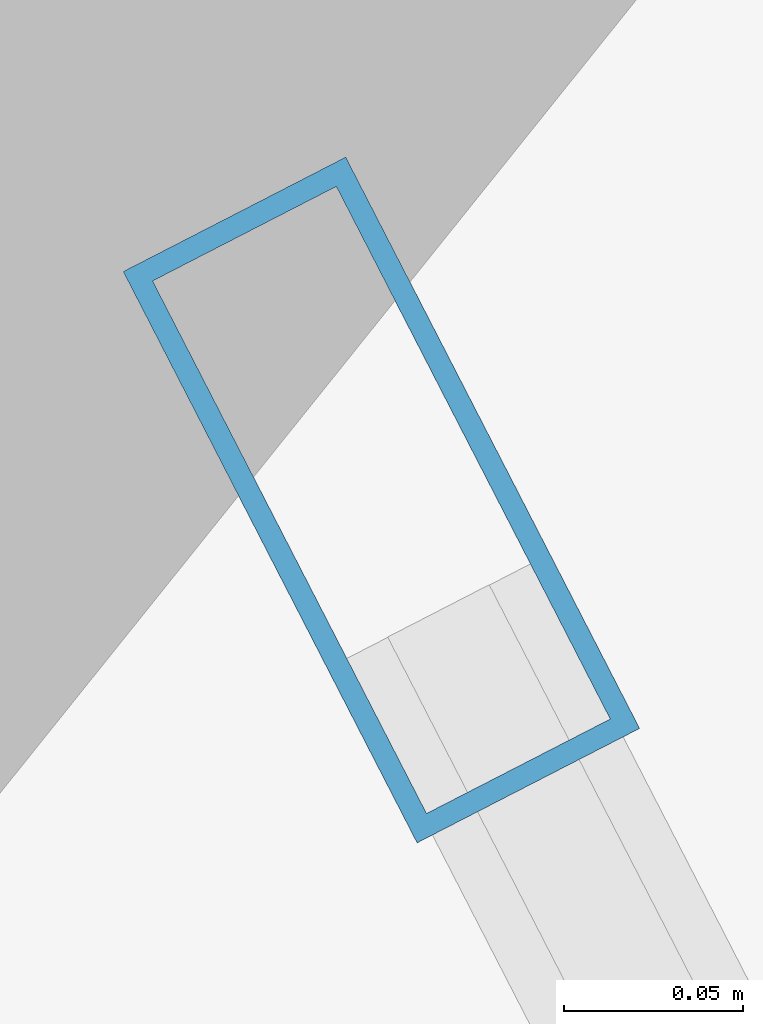
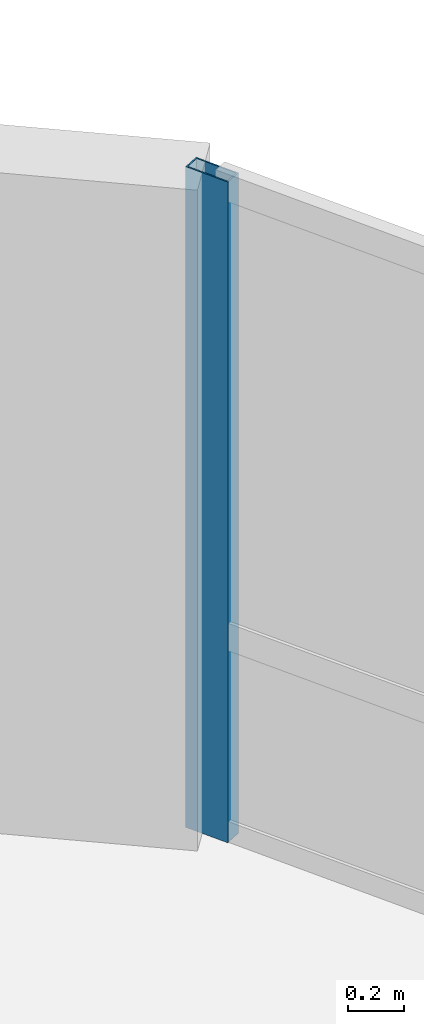
# One storey, part 8 of 15: 1 member, 1 element without a shape of its own.
"""IFC4 building model written with IfcOpenShell, lengths in metres."""

from ifc_helpers import new_model, si_unit, direction, frame, origin, origin_2d, place, context, subcontext, project, spatial, hollow_rectangle, extrude, material, layer, layer_set, material_profile, profile_set, type_object, element, aggregate, save


model = new_model("IFC4")

# Units and contexts
model_context = context("Model", 3, precision=1e-05, world=origin(), true_north=direction((0.0, 1.0)))
body_context = subcontext(model_context, "Body", "Model", "MODEL_VIEW")
ifc_project = project(units=[si_unit("LENGTHUNIT", "METRE"), si_unit("AREAUNIT", "SQUARE_METRE"), si_unit("VOLUMEUNIT", "CUBIC_METRE"), si_unit("PLANEANGLEUNIT", "RADIAN"), si_unit("MASSUNIT", "GRAM", prefix="KILO"), si_unit("THERMODYNAMICTEMPERATUREUNIT", "KELVIN"), si_unit("POWERUNIT", "WATT")], contexts=[model_context])

# Site, building, storey
site_placement = place(None, origin())
site = spatial("IfcSite", under=ifc_project, at=site_placement, CompositionType="ELEMENT")
building_placement = place(site_placement, origin())
building = spatial("IfcBuilding", under=site, at=building_placement, Name="Ocrelia Relay Tower", CompositionType="ELEMENT")
storey_placement = place(building_placement, frame((0.0, 0.0, 93.800048828125)))
storey = spatial("IfcBuildingStorey", under=building, at=storey_placement, Name="L21", CompositionType="ELEMENT", Elevation=93.800048828125)

# Curtain wall, member
ifc_material_1 = material(Name="Aluminium and solar-control low-E glass", Category="aluminium")
ifc_layer = layer(ifc_material_1, 0.179931640625, Name="Aluminium and solar-control low-E glass")
ifc_layer_set = layer_set([ifc_layer], Name="Aluminium and solar-control low-E glass")
curtain_wall_type = type_object("IfcCurtainWallType", Name="CW-SYS-Z2-SWIT", PredefinedType="NOTDEFINED", material=ifc_layer_set)
curtain_wall_placement = place(storey_placement, origin())
curtain_wall = element("IfcCurtainWall", 1, at=curtain_wall_placement, inside=storey, type_object=curtain_wall_type, Name="L21 Elliptical Tower Curtain Wall Bay 01", PredefinedType="NOTDEFINED")
ifc_material_2 = material(Name="Anodised bronze aluminium", Category="aluminium")
ifc_material_profile = material_profile(ifc_material_2, hollow_rectangle(XDim=0.070068359375, YDim=0.179931640625, WallThickness=0.006103515625, at=origin_2d()), Name="CW-MUL-180x70")
ifc_profile_set = profile_set([ifc_material_profile], Name="Anodised bronze aluminium")
member_type = type_object("IfcMemberType", Name="CW-SYS-Z2-SWIT-MUL", PredefinedType="MULLION", material=ifc_profile_set)
member_placement = place(storey_placement, frame((55.681884765625, 38.3876953125, 0.0), z_axis=(0.0, 0.0, 1.0), x_axis=(-0.889260604042, -0.457400894292, 0.0)))
member = element("IfcMember", 2, at=member_placement, type_object=member_type, Name="CW-Z2 mullion 3", PredefinedType="MULLION", context=body_context, shape_type="SweptSolid", body=[
    extrude(hollow_rectangle(XDim=0.070068359375, YDim=0.179931640625, WallThickness=0.006103515625, at=origin_2d()), origin(), (0.0, 0.0, 1.0), 2.89990234375),
])
aggregate(curtain_wall, [member])

save(model, "model.ifc")
